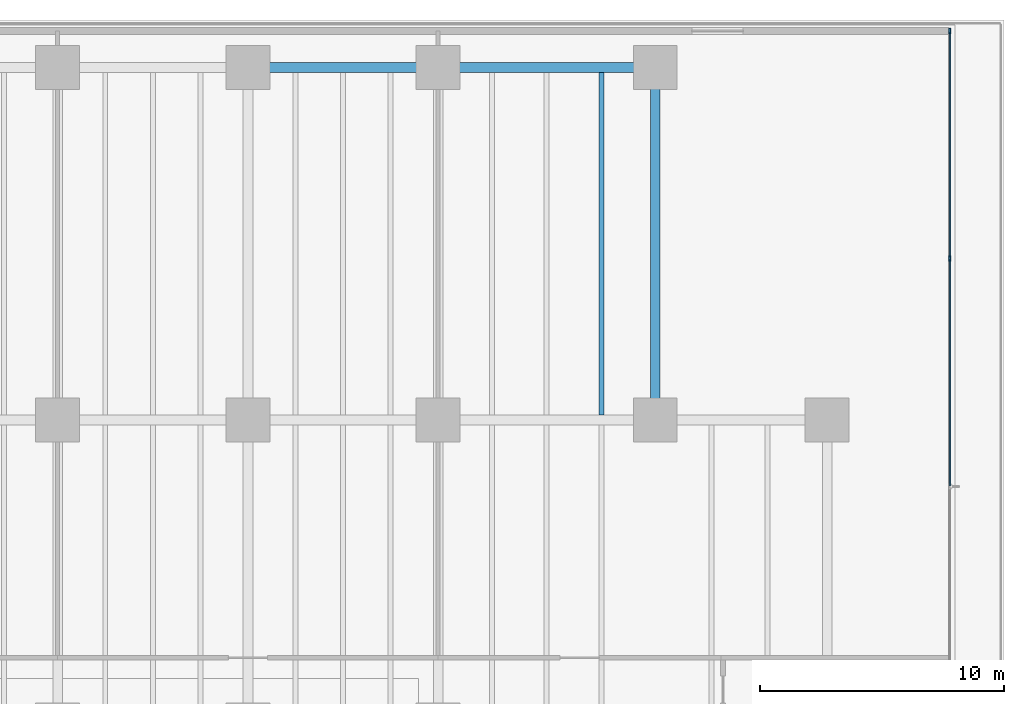
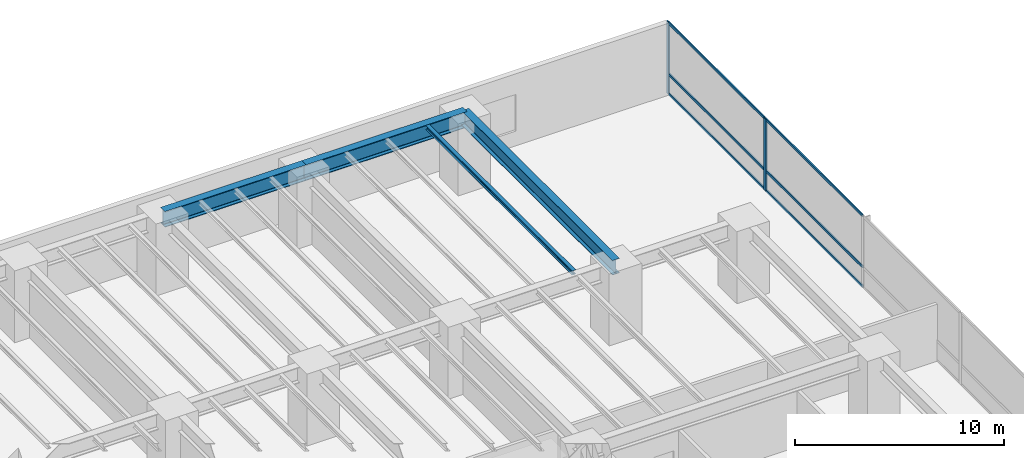
# One storey, part 5 of 21: 8 members, 4 beams, 1 element without a shape of its own.
"""IFC4 building model written with IfcOpenShell, lengths in metres."""

from ifc_helpers import new_model, si_unit, direction, frame, origin, origin_2d, place, context, subcontext, project, spatial, rectangle, i_section, extrude, material, layer, layer_set, material_profile, profile_set, type_object, element, aggregate, save


model = new_model("IFC4")

# Units and contexts
model_context = context("Model", 3, precision=1e-05, world=origin(), true_north=direction((0.0, 1.0)))
body_context = subcontext(model_context, "Body", "Model", "MODEL_VIEW")
ifc_project = project(units=[si_unit("LENGTHUNIT", "METRE"), si_unit("AREAUNIT", "SQUARE_METRE"), si_unit("VOLUMEUNIT", "CUBIC_METRE"), si_unit("PLANEANGLEUNIT", "RADIAN"), si_unit("MASSUNIT", "GRAM", prefix="KILO")], contexts=[model_context])

# Site, building, storey
site_placement = place(None, origin())
site = spatial("IfcSite", under=ifc_project, at=site_placement, CompositionType="ELEMENT")
building_placement = place(site_placement, origin())
building = spatial("IfcBuilding", under=site, at=building_placement, Name="Qalmaran Belvedere Hotel", CompositionType="ELEMENT")
storey_placement = place(building_placement, frame((0.0, 0.0, 23.800048828125)))
storey = spatial("IfcBuildingStorey", under=building, at=storey_placement, Name="L05", CompositionType="ELEMENT", Elevation=23.800048828125)

# Beams
ifc_material_1 = material(Name="Steel S355JR", Category="steel")
ifc_material_profile_1 = material_profile(ifc_material_1, i_section(OverallWidth=0.201904296875, OverallDepth=0.2470703125, WebThickness=0.00732421875, FlangeThickness=0.010986328125, FilletRadius=0.011962890625, at=origin_2d()), Name="W250X49")
ifc_profile_set_1 = profile_set([ifc_material_profile_1], Name="Steel S355JR")
beam_type_1 = type_object("IfcBeamType", Name="BM-JST-W250X49", PredefinedType="JOIST", material=ifc_profile_set_1)
beam_1_placement = place(storey_placement, frame((51.5, 33.2080078125, 4.076416015625), z_axis=(0.0, 1.0, 0.0), x_axis=(-1.0, 0.0, 0.0)))
element("IfcBeam", 1, at=beam_1_placement, inside=storey, type_object=beam_type_1, Name="L05 Podium North-Ballroom Joist 066", PredefinedType="JOIST", context=body_context, shape_type="SweptSolid", body=[
    extrude(i_section(OverallWidth=0.201904296875, OverallDepth=0.2470703125, WebThickness=0.00732421875, FlangeThickness=0.010986328125, FilletRadius=0.011962890625, at=origin_2d()), origin(), (0.0, 0.0, 1.0), 14.033935546875),
])
ifc_material_profile_2 = material_profile(ifc_material_1, i_section(OverallWidth=0.419921875, OverallDepth=0.9208984375, WebThickness=0.021240234375, FlangeThickness=0.03662109375, FilletRadius=0.02392578125, at=origin_2d()), Name="W920X387")
ifc_profile_set_2 = profile_set([ifc_material_profile_2], Name="Steel S355JR")
beam_type_2 = type_object("IfcBeamType", Name="BM-PG1-W920X387", PredefinedType="USERDEFINED", material=ifc_profile_set_2)
beam_2_placement = place(storey_placement, frame((37.0, 47.449951171875, 3.739501953125), z_axis=(1.0, 0.0, 0.0), x_axis=(0.0, 1.0, 0.0)))
element("IfcBeam", 2, at=beam_2_placement, inside=storey, type_object=beam_type_2, Name="L05 Podium Primary Girder GX20", ObjectType="GIRDER", PredefinedType="USERDEFINED", context=body_context, shape_type="SweptSolid", body=[
    extrude(i_section(OverallWidth=0.419921875, OverallDepth=0.9208984375, WebThickness=0.021240234375, FlangeThickness=0.03662109375, FilletRadius=0.02392578125, at=origin_2d()), origin(), (0.0, 0.0, 1.0), 7.800048828125),
])
beam_3_placement = place(storey_placement, frame((44.800048828125, 47.449951171875, 3.739501953125), z_axis=(1.0, 0.0, 0.0), x_axis=(0.0, 1.0, 0.0)))
element("IfcBeam", 3, at=beam_3_placement, inside=storey, type_object=beam_type_2, Name="L05 Podium Primary Girder GX21", ObjectType="GIRDER", PredefinedType="USERDEFINED", context=body_context, shape_type="SweptSolid", body=[
    extrude(i_section(OverallWidth=0.419921875, OverallDepth=0.9208984375, WebThickness=0.021240234375, FlangeThickness=0.03662109375, FilletRadius=0.02392578125, at=origin_2d()), origin(), (0.0, 0.0, 1.0), 8.89990234375),
])
ifc_material_profile_3 = material_profile(ifc_material_1, i_section(OverallWidth=0.39990234375, OverallDepth=0.85498046875, WebThickness=0.018310546875, FlangeThickness=0.029296875, FilletRadius=0.02392578125, at=origin_2d()), Name="W840X299")
ifc_profile_set_3 = profile_set([ifc_material_profile_3], Name="Steel S355JR")
beam_type_3 = type_object("IfcBeamType", Name="BM-PG3-W840X299", PredefinedType="USERDEFINED", material=ifc_profile_set_3)
beam_4_placement = place(storey_placement, frame((53.699951171875, 33.0, 3.7724609375), z_axis=(0.0, 1.0, 0.0), x_axis=(-1.0, 0.0, 0.0)))
element("IfcBeam", 4, at=beam_4_placement, inside=storey, type_object=beam_type_3, Name="L05 Podium Transverse Girder GY38", ObjectType="GIRDER", PredefinedType="USERDEFINED", context=body_context, shape_type="SweptSolid", body=[
    extrude(i_section(OverallWidth=0.39990234375, OverallDepth=0.85498046875, WebThickness=0.018310546875, FlangeThickness=0.029296875, FilletRadius=0.02392578125, at=origin_2d()), origin(), (0.0, 0.0, 1.0), 14.449951171875),
])

# Curtain wall, members
ifc_material_2 = material(Name="Anodised Bronze Aluminium", Category="aluminium")
ifc_layer = layer(ifc_material_2, 0.219970703125, Name="Anodised Bronze Aluminium")
ifc_layer_set = layer_set([ifc_layer], Name="Anodised Bronze Aluminium")
curtain_wall_type = type_object("IfcCurtainWallType", Name="CW1-PODIUM-BRONZE", PredefinedType="NOTDEFINED", material=ifc_layer_set)
curtain_wall_placement = place(storey_placement, origin())
curtain_wall = element("IfcCurtainWall", 5, at=curtain_wall_placement, inside=storey, type_object=curtain_wall_type, Name="L05 Curtain Wall CW1", PredefinedType="NOTDEFINED")
ifc_material_profile_4 = material_profile(ifc_material_2, rectangle(XDim=0.074951171875, YDim=0.219970703125, at=origin_2d()), Name="CWM75X220")
ifc_profile_set_4 = profile_set([ifc_material_profile_4], Name="Anodised Bronze Aluminium")
member_type_1 = type_object("IfcMemberType", Name="CWM-75X220", PredefinedType="MULLION", material=ifc_profile_set_4)
member_1_placement = place(storey_placement, frame((65.780029296875, 39.6279296875, 0.0), z_axis=(0.0, 0.0, 1.0), x_axis=(-1.0, 0.0, 0.0)))
member_1 = element("IfcMember", 6, at=member_1_placement, type_object=member_type_1, Name="CW1 mullion 5", PredefinedType="MULLION", context=body_context, shape_type="SweptSolid", body=[
    extrude(rectangle(XDim=0.074951171875, YDim=0.219970703125, at=origin_2d()), origin(), (0.0, 0.0, 1.0), 4.199951171875),
])
member_2_placement = place(storey_placement, frame((65.780029296875, 48.9423828125, 0.0), z_axis=(0.0, 0.0, 1.0), x_axis=(-1.0, 0.0, 0.0)))
member_2 = element("IfcMember", 7, at=member_2_placement, type_object=member_type_1, Name="CW1 mullion 6", PredefinedType="MULLION", context=body_context, shape_type="SweptSolid", body=[
    extrude(rectangle(XDim=0.074951171875, YDim=0.219970703125, at=origin_2d()), origin(), (0.0, 0.0, 1.0), 4.199951171875),
])
ifc_material_profile_5 = material_profile(ifc_material_2, rectangle(XDim=0.070068359375, YDim=0.14990234375, at=origin_2d()), Name="CWT70X150")
ifc_profile_set_5 = profile_set([ifc_material_profile_5], Name="Anodised Bronze Aluminium")
member_type_2 = type_object("IfcMemberType", Name="CWT-70X150", PredefinedType="USERDEFINED", material=ifc_profile_set_5)
member_3_placement = place(storey_placement, frame((65.780029296875, 30.3134765625, 0.034912109375), z_axis=(0.0, 1.0, 0.0), x_axis=(-1.0, 0.0, 0.0)))
member_3 = element("IfcMember", 8, at=member_3_placement, type_object=member_type_2, Name="CW1 transom 4.1", ObjectType="TRANSOM", PredefinedType="USERDEFINED", context=body_context, shape_type="SweptSolid", body=[
    extrude(rectangle(XDim=0.070068359375, YDim=0.14990234375, at=origin_2d()), origin(), (0.0, 0.0, 1.0), 9.277099609375),
])
member_4_placement = place(storey_placement, frame((65.780029296875, 30.3134765625, 1.176025390625), z_axis=(0.0, 1.0, 0.0), x_axis=(-1.0, 0.0, 0.0)))
member_4 = element("IfcMember", 9, at=member_4_placement, type_object=member_type_2, Name="CW1 transom 4.2", ObjectType="TRANSOM", PredefinedType="USERDEFINED", context=body_context, shape_type="SweptSolid", body=[
    extrude(rectangle(XDim=0.070068359375, YDim=0.14990234375, at=origin_2d()), origin(), (0.0, 0.0, 1.0), 9.277099609375),
])
member_5_placement = place(storey_placement, frame((65.780029296875, 30.3134765625, 4.1650390625), z_axis=(0.0, 1.0, 0.0), x_axis=(-1.0, 0.0, 0.0)))
member_5 = element("IfcMember", 10, at=member_5_placement, type_object=member_type_2, Name="CW1 transom 4.3", ObjectType="TRANSOM", PredefinedType="USERDEFINED", context=body_context, shape_type="SweptSolid", body=[
    extrude(rectangle(XDim=0.070068359375, YDim=0.14990234375, at=origin_2d()), origin(), (0.0, 0.0, 1.0), 9.277099609375),
])
member_6_placement = place(storey_placement, frame((65.780029296875, 39.66552734375, 0.034912109375), z_axis=(0.0, 1.0, 0.0), x_axis=(-1.0, 0.0, 0.0)))
member_6 = element("IfcMember", 11, at=member_6_placement, type_object=member_type_2, Name="CW1 transom 5.1", ObjectType="TRANSOM", PredefinedType="USERDEFINED", context=body_context, shape_type="SweptSolid", body=[
    extrude(rectangle(XDim=0.070068359375, YDim=0.14990234375, at=origin_2d()), origin(), (0.0, 0.0, 1.0), 9.239501953125),
])
member_7_placement = place(storey_placement, frame((65.780029296875, 39.66552734375, 1.176025390625), z_axis=(0.0, 1.0, 0.0), x_axis=(-1.0, 0.0, 0.0)))
member_7 = element("IfcMember", 12, at=member_7_placement, type_object=member_type_2, Name="CW1 transom 5.2", ObjectType="TRANSOM", PredefinedType="USERDEFINED", context=body_context, shape_type="SweptSolid", body=[
    extrude(rectangle(XDim=0.070068359375, YDim=0.14990234375, at=origin_2d()), origin(), (0.0, 0.0, 1.0), 9.239501953125),
])
member_8_placement = place(storey_placement, frame((65.780029296875, 39.66552734375, 4.1650390625), z_axis=(0.0, 1.0, 0.0), x_axis=(-1.0, 0.0, 0.0)))
member_8 = element("IfcMember", 13, at=member_8_placement, type_object=member_type_2, Name="CW1 transom 5.3", ObjectType="TRANSOM", PredefinedType="USERDEFINED", context=body_context, shape_type="SweptSolid", body=[
    extrude(rectangle(XDim=0.070068359375, YDim=0.14990234375, at=origin_2d()), origin(), (0.0, 0.0, 1.0), 9.239501953125),
])
aggregate(curtain_wall, [member_1, member_2, member_3, member_4, member_5, member_6, member_7, member_8])

save(model, "model.ifc")
